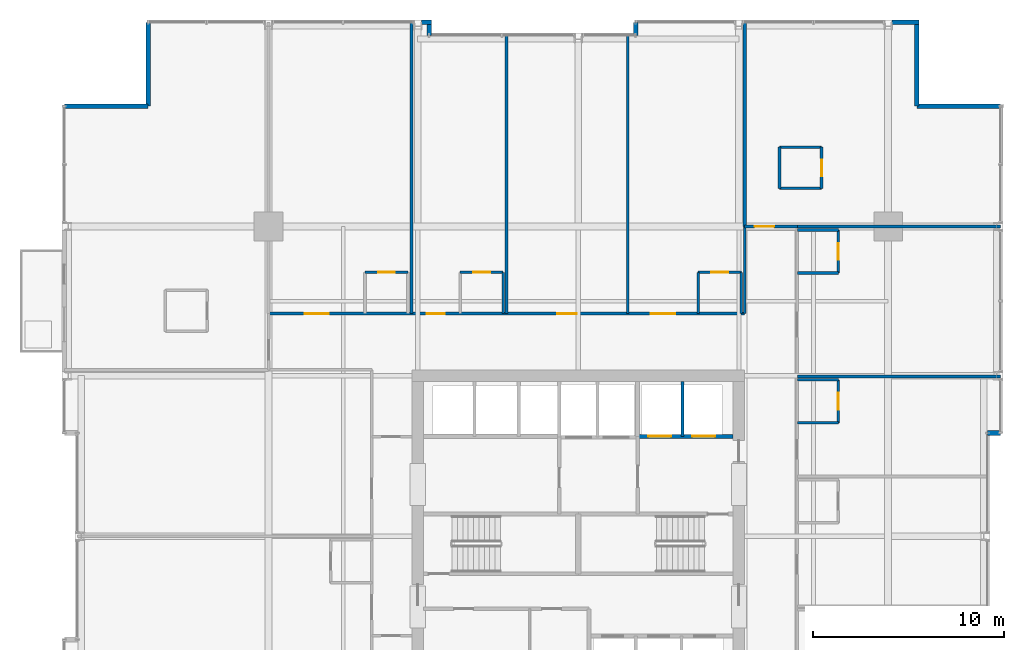
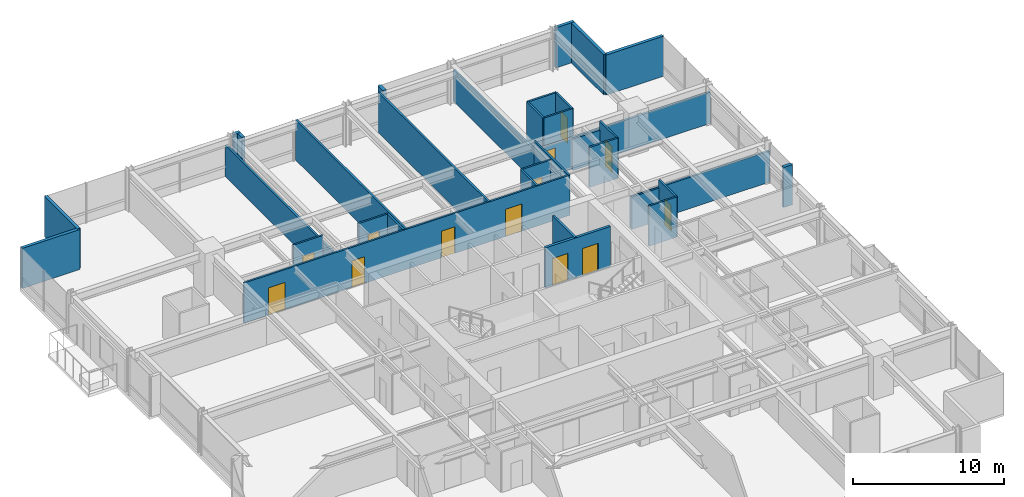
# One storey, part 31 of 34: 36 walls, 13 doors, 13 openings.
"""IFC4 building model written with IfcOpenShell, lengths in metres."""

from ifc_helpers import new_model, si_unit, direction, frame, frame_2d, origin, place, context, subcontext, project, spatial, rectangle, extrude, material, layer, layer_set, type_object, element, fill, save


model = new_model("IFC4")

# Units and contexts
model_context = context("Model", 3, precision=1e-05, world=origin(), true_north=direction((0.0, 1.0)))
body_context = subcontext(model_context, "Body", "Model", "MODEL_VIEW")
ifc_project = project(units=[si_unit("LENGTHUNIT", "METRE"), si_unit("AREAUNIT", "SQUARE_METRE"), si_unit("VOLUMEUNIT", "CUBIC_METRE"), si_unit("PLANEANGLEUNIT", "RADIAN"), si_unit("MASSUNIT", "GRAM", prefix="KILO")], contexts=[model_context])

# Site, building, storey
site_placement = place(None, origin())
site = spatial("IfcSite", under=ifc_project, at=site_placement, CompositionType="ELEMENT")
building_placement = place(site_placement, origin())
building = spatial("IfcBuilding", under=site, at=building_placement, Name="Drelvath Grand Hotel", CompositionType="ELEMENT")
storey_placement = place(building_placement, frame((0.0, 0.0, 126.800048828125)))
storey = spatial("IfcBuildingStorey", under=building, at=storey_placement, Name="L32", CompositionType="ELEMENT", Elevation=126.800048828125)

# Wall, openings, doors
ifc_material_1 = material(Name="Concrete C40/50", Category="concrete")
ifc_layer_1 = layer(ifc_material_1, 0.199951171875)
ifc_layer_set_1 = layer_set([ifc_layer_1], Name="Concrete C40/50")
wall_type_1 = type_object("IfcWallType", Name="Core Hoistway Fire Wall 200", PredefinedType="SOLIDWALL", material=ifc_layer_set_1)
wall_1_placement = place(storey_placement, frame((3.10009765625, 32.219970703125, 0.0), z_axis=(0.0, 0.0, 1.0), x_axis=(1.0, 0.0, 0.0)))
wall_1 = element("IfcWall", 1, at=wall_1_placement, inside=storey, type_object=wall_type_1, Name="L32 FSAE Hoistway Front Wall", PredefinedType="SOLIDWALL", context=body_context, shape_type="SweptSolid", body=[
    extrude(rectangle(XDim=5.0, YDim=0.199951171875, at=frame_2d((2.5, 0.0))), origin(), (0.0, 0.0, 1.0), 3.239990234375),
])
opening_1_placement = place(wall_1_placement, frame((0.550048828125, 0.0, 0.0)))
opening_1 = element("IfcOpeningElement", 2, at=opening_1_placement, cuts=wall_1, Name="Opening LD-FSAE-1", PredefinedType="OPENING", context=body_context, shape_type="SweptSolid", body=[
    extrude(rectangle(XDim=1.199951171875, YDim=2.199951171875, at=frame_2d((0.60009765625, 1.10009765625))), frame((0.0, 0.10986328125, 0.0), z_axis=(0.0, -1.0, 0.0), x_axis=(1.0, 0.0, 0.0)), (0.0, 0.0, 1.0), 0.219970703125),
])
opening_2_placement = place(wall_1_placement, frame((2.85009765625, 0.0, 0.0)))
opening_2 = element("IfcOpeningElement", 3, at=opening_2_placement, cuts=wall_1, Name="Opening LD-FSAE-2", PredefinedType="OPENING", context=body_context, shape_type="SweptSolid", body=[
    extrude(rectangle(XDim=1.199951171875, YDim=2.199951171875, at=frame_2d((0.60009765625, 1.10009765625))), frame((0.0, 0.10986328125, 0.0), z_axis=(0.0, -1.0, 0.0), x_axis=(1.0, 0.0, 0.0)), (0.0, 0.0, 1.0), 0.219970703125),
])
ifc_material_2 = material(Name="Stainless Steel S355", Category="steel")
door_type_1 = type_object("IfcDoorType", Name="FSAE Lift Sliding Landing Door 1200x2200", OperationType="NOTDEFINED", PredefinedType="DOOR", material=ifc_material_2)
door_1_placement = place(opening_1_placement, origin())
door_1 = element("IfcDoor", 4, at=door_1_placement, inside=storey, type_object=door_type_1, Name="L32 Lift FSAE-1 Landing Door", OperationType="SLIDING_TO_LEFT", OverallHeight=2.199951171875, OverallWidth=1.199951171875, PredefinedType="DOOR", context=body_context, shape_type="SweptSolid", body=[
    extrude(rectangle(XDim=1.199951171875, YDim=2.199951171875, at=frame_2d((0.60009765625, 1.10009765625))), frame((0.0, 0.02490234375, 0.0), z_axis=(0.0, -1.0, 0.0), x_axis=(1.0, 0.0, 0.0)), (0.0, 0.0, 1.0), 0.050048828125),
])
fill(opening_1, door_1)
door_2_placement = place(opening_2_placement, origin())
door_2 = element("IfcDoor", 5, at=door_2_placement, inside=storey, type_object=door_type_1, Name="L32 Lift FSAE-2 Landing Door", OperationType="SLIDING_TO_LEFT", OverallHeight=2.199951171875, OverallWidth=1.199951171875, PredefinedType="DOOR", context=body_context, shape_type="SweptSolid", body=[
    extrude(rectangle(XDim=1.199951171875, YDim=2.199951171875, at=frame_2d((0.60009765625, 1.10009765625))), frame((0.0, 0.02490234375, 0.0), z_axis=(0.0, -1.0, 0.0), x_axis=(1.0, 0.0, 0.0)), (0.0, 0.0, 1.0), 0.050048828125),
])
fill(opening_2, door_2)

# Walls
ifc_material_3 = material(Name="Gypsum Fireboard Partition")
ifc_layer_2 = layer(ifc_material_3, 0.1650390625)
ifc_layer_set_2 = layer_set([ifc_layer_2], Name="Gypsum Fireboard Partition")
wall_type_2 = type_object("IfcWallType", Name="Core Shaft Partition 165", PredefinedType="PARTITIONING", material=ifc_layer_set_2)
wall_2_placement = place(storey_placement, frame((5.449951171875, 32.219970703125, 0.0), z_axis=(0.0, 0.0, 1.0), x_axis=(0.0, 1.0, 0.0)))
element("IfcWall", 6, at=wall_2_placement, inside=storey, type_object=wall_type_2, Name="L32 FSAE Hoistway Divider", PredefinedType="PARTITIONING", context=body_context, shape_type="SweptSolid", body=[
    extrude(rectangle(XDim=2.880126953125, YDim=0.1650390625, at=frame_2d((1.43994140625, 0.0))), origin(), (0.0, 0.0, 1.0), 3.239990234375),
])
ifc_layer_3 = layer(ifc_material_3, 0.135009765625)
ifc_layer_set_3 = layer_set([ifc_layer_3], Name="Gypsum Fireboard Partition")
wall_type_3 = type_object("IfcWallType", Name="Corridor Fire Barrier Wall 135", PredefinedType="PARTITIONING", material=ifc_layer_set_3)
wall_3_placement = place(storey_placement, frame((8.699951171875, 38.64990234375, 0.0), z_axis=(0.0, 0.0, 1.0), x_axis=(0.0, 1.0, 0.0)))
element("IfcWall", 7, at=wall_3_placement, inside=storey, type_object=wall_type_3, Name="L32 East Spine North Inner Wall", PredefinedType="PARTITIONING", context=body_context, shape_type="SweptSolid", body=[
    extrude(rectangle(XDim=4.550048828125, YDim=0.135009765625, at=frame_2d((2.27490234375, 0.0))), origin(), (0.0, 0.0, 1.0), 3.239990234375),
])

# Wall, openings, doors
wall_4_placement = place(storey_placement, frame((-16.199951171875, 38.64990234375, 0.0), z_axis=(0.0, 0.0, 1.0), x_axis=(1.0, 0.0, 0.0)))
wall_4 = element("IfcWall", 8, at=wall_4_placement, inside=storey, type_object=wall_type_3, Name="L32 North Stub Corridor Wall", PredefinedType="PARTITIONING", context=body_context, shape_type="SweptSolid", body=[
    extrude(rectangle(XDim=24.89990234375, YDim=0.135009765625, at=frame_2d((12.449951171875, 0.0))), origin(), (0.0, 0.0, 1.0), 3.239990234375),
])
opening_3_placement = place(wall_4_placement, frame((1.889892578125, 0.0, 0.0)))
opening_3 = element("IfcOpeningElement", 9, at=opening_3_placement, cuts=wall_4, Name="Opening D-T2G4-034", PredefinedType="OPENING", context=body_context, shape_type="SweptSolid", body=[
    extrude(rectangle(XDim=1.260009765625, YDim=2.199951171875, at=frame_2d((0.6298828125, 1.10009765625))), frame((0.0, 0.077392578125, 0.0), z_axis=(0.0, -1.0, 0.0), x_axis=(1.0, 0.0, 0.0)), (0.0, 0.0, 1.0), 0.155029296875),
])
opening_4_placement = place(wall_4_placement, frame((8.264892578125, 0.0, 0.0)))
opening_4 = element("IfcOpeningElement", 10, at=opening_4_placement, cuts=wall_4, Name="Opening D-T2G4-036", PredefinedType="OPENING", context=body_context, shape_type="SweptSolid", body=[
    extrude(rectangle(XDim=0.9599609375, YDim=2.14990234375, at=frame_2d((0.47998046875, 1.074951171875))), frame((0.0, 0.077392578125, 0.0), z_axis=(0.0, -1.0, 0.0), x_axis=(1.0, 0.0, 0.0)), (0.0, 0.0, 1.0), 0.155029296875),
])
opening_5_placement = place(wall_4_placement, frame((15.10498046875, 0.0, 0.0)))
opening_5 = element("IfcOpeningElement", 11, at=opening_5_placement, cuts=wall_4, Name="Opening D-T2G4-037", PredefinedType="OPENING", context=body_context, shape_type="SweptSolid", body=[
    extrude(rectangle(XDim=1.02001953125, YDim=2.14990234375, at=frame_2d((0.510009765625, 1.074951171875))), frame((0.0, 0.077392578125, 0.0), z_axis=(0.0, -1.0, 0.0), x_axis=(1.0, 0.0, 0.0)), (0.0, 0.0, 1.0), 0.155029296875),
])
opening_6_placement = place(wall_4_placement, frame((19.9951171875, 0.0, 0.0)))
opening_6 = element("IfcOpeningElement", 12, at=opening_6_placement, cuts=wall_4, Name="Opening D-T2G4-039", PredefinedType="OPENING", context=body_context, shape_type="SweptSolid", body=[
    extrude(rectangle(XDim=1.260009765625, YDim=2.199951171875, at=frame_2d((0.6298828125, 1.10009765625))), frame((0.0, 0.077392578125, 0.0), z_axis=(0.0, -1.0, 0.0), x_axis=(1.0, 0.0, 0.0)), (0.0, 0.0, 1.0), 0.155029296875),
])
ifc_material_4 = material(Name="Hardwood Walnut Timber", Category="wood")
door_type_2 = type_object("IfcDoorType", Name="Amenity Meeting Fire Door 1020x2150", OperationType="NOTDEFINED", PredefinedType="DOOR", material=ifc_material_4)
door_3_placement = place(opening_5_placement, origin())
door_3 = element("IfcDoor", 13, at=door_3_placement, inside=storey, type_object=door_type_2, Name="L32 Private Dining Salon Entry Door", OperationType="SINGLE_SWING_RIGHT", OverallHeight=2.14990234375, OverallWidth=1.02001953125, PredefinedType="DOOR", context=body_context, shape_type="SweptSolid", body=[
    extrude(rectangle(XDim=1.02001953125, YDim=2.14990234375, at=frame_2d((0.510009765625, 1.074951171875))), frame((0.0, 0.02490234375, 0.0), z_axis=(0.0, -1.0, 0.0), x_axis=(1.0, 0.0, 0.0)), (0.0, 0.0, 1.0), 0.050048828125),
])
fill(opening_5, door_3)
door_type_3 = type_object("IfcDoorType", Name="Guestroom Entrance Fire Door 960x2150", OperationType="NOTDEFINED", PredefinedType="DOOR", material=ifc_material_4)
door_4_placement = place(opening_4_placement, origin())
door_4 = element("IfcDoor", 14, at=door_4_placement, inside=storey, type_object=door_type_3, Name="L32 King Guest Room Entry Door", OperationType="SINGLE_SWING_LEFT", OverallHeight=2.14990234375, OverallWidth=0.9599609375, PredefinedType="DOOR", context=body_context, shape_type="SweptSolid", body=[
    extrude(rectangle(XDim=0.9599609375, YDim=2.14990234375, at=frame_2d((0.47998046875, 1.074951171875))), frame((0.0, 0.02490234375, 0.0), z_axis=(0.0, -1.0, 0.0), x_axis=(1.0, 0.0, 0.0)), (0.0, 0.0, 1.0), 0.050048828125),
])
fill(opening_4, door_4)
door_type_4 = type_object("IfcDoorType", Name="Suite Entrance Fire Door 1260x2200", OperationType="NOTDEFINED", PredefinedType="DOOR", material=ifc_material_4)
door_5_placement = place(opening_3_placement, origin())
door_5 = element("IfcDoor", 15, at=door_5_placement, inside=storey, type_object=door_type_4, Name="L32 Corner Suite Entry Door", OperationType="SINGLE_SWING_LEFT", OverallHeight=2.199951171875, OverallWidth=1.260009765625, PredefinedType="DOOR", context=body_context, shape_type="SweptSolid", body=[
    extrude(rectangle(XDim=1.260009765625, YDim=2.199951171875, at=frame_2d((0.6298828125, 1.10009765625))), frame((0.0, 0.02490234375, 0.0), z_axis=(0.0, -1.0, 0.0), x_axis=(1.0, 0.0, 0.0)), (0.0, 0.0, 1.0), 0.050048828125),
])
fill(opening_3, door_5)
door_6_placement = place(opening_6_placement, origin())
door_6 = element("IfcDoor", 16, at=door_6_placement, inside=storey, type_object=door_type_4, Name="L32 Corner Suite Entry Door", OperationType="SINGLE_SWING_RIGHT", OverallHeight=2.199951171875, OverallWidth=1.260009765625, PredefinedType="DOOR", context=body_context, shape_type="SweptSolid", body=[
    extrude(rectangle(XDim=1.260009765625, YDim=2.199951171875, at=frame_2d((0.6298828125, 1.10009765625))), frame((0.0, 0.02490234375, 0.0), z_axis=(0.0, -1.0, 0.0), x_axis=(1.0, 0.0, 0.0)), (0.0, 0.0, 1.0), 0.050048828125),
])
fill(opening_6, door_6)

# Wall, opening, door
wall_5_placement = place(storey_placement, frame((8.699951171875, 43.199951171875, 0.0), z_axis=(0.0, 0.0, 1.0), x_axis=(1.0, 0.0, 0.0)))
wall_5 = element("IfcWall", 17, at=wall_5_placement, inside=storey, type_object=wall_type_3, Name="L32 East Spine North End", PredefinedType="PARTITIONING", context=body_context, shape_type="SweptSolid", body=[
    extrude(rectangle(XDim=2.75, YDim=0.135009765625, at=frame_2d((1.375, 0.0))), origin(), (0.0, 0.0, 1.0), 2.529541015625),
])
opening_7_placement = place(wall_5_placement, frame((0.52001953125, 0.0, 0.0)))
opening_7 = element("IfcOpeningElement", 18, at=opening_7_placement, cuts=wall_5, Name="Opening D-T2G4-026", PredefinedType="OPENING", context=body_context, shape_type="SweptSolid", body=[
    extrude(rectangle(XDim=1.02001953125, YDim=2.14990234375, at=frame_2d((0.510009765625, 1.074951171875))), frame((0.0, 0.077392578125, 0.0), z_axis=(0.0, -1.0, 0.0), x_axis=(1.0, 0.0, 0.0)), (0.0, 0.0, 1.0), 0.155029296875),
])
door_7_placement = place(opening_7_placement, origin())
door_7 = element("IfcDoor", 19, at=door_7_placement, inside=storey, type_object=door_type_2, Name="L32 Corner Suite Entry Door", OperationType="SINGLE_SWING_LEFT", OverallHeight=2.14990234375, OverallWidth=1.02001953125, PredefinedType="DOOR", context=body_context, shape_type="SweptSolid", body=[
    extrude(rectangle(XDim=1.02001953125, YDim=2.14990234375, at=frame_2d((0.510009765625, 1.074951171875))), frame((0.0, 0.02490234375, 0.0), z_axis=(0.0, -1.0, 0.0), x_axis=(1.0, 0.0, 0.0)), (0.0, 0.0, 1.0), 0.050048828125),
])
fill(opening_7, door_7)

# Walls
ifc_material_5 = material(Name="Moisture-Resistant Gypsum Board")
ifc_layer_4 = layer(ifc_material_5, 0.139892578125)
ifc_layer_set_4 = layer_set([ifc_layer_4], Name="Moisture-Resistant Gypsum Board")
wall_type_4 = type_object("IfcWallType", Name="En-Suite Plumbing Wall 140", PredefinedType="PLUMBINGWALL", material=ifc_layer_set_4)
for number, where, z_axis, x_axis, name in (
    (20, (10.52001953125, 45.199951171875, 0.0), (0.0, 0.0, 1.0), (1.0, 0.0, 0.0), "L32 Corner En-Suite South"),
    (21, (10.52001953125, 47.35009765625, 0.0), (0.0, 0.0, 1.0), (1.0, 0.0, 0.0), "L32 Corner En-Suite North"),
):
    element("IfcWall", number, at=place(storey_placement, frame(where, z_axis=z_axis, x_axis=x_axis)), inside=storey, type_object=wall_type_4, Name=name, PredefinedType="PLUMBINGWALL", context=body_context, shape_type="SweptSolid", body=[
        extrude(rectangle(XDim=2.199951171875, YDim=0.139892578125, at=frame_2d((1.10009765625, 0.0))), origin(), (0.0, 0.0, 1.0), 3.239990234375),
    ])
wall_6_placement = place(storey_placement, frame((10.52001953125, 45.199951171875, 0.0), z_axis=(0.0, 0.0, 1.0), x_axis=(0.0, 1.0, 0.0)))
element("IfcWall", 22, at=wall_6_placement, inside=storey, type_object=wall_type_4, Name="L32 Corner En-Suite West", PredefinedType="PLUMBINGWALL", context=body_context, shape_type="SweptSolid", body=[
    extrude(rectangle(XDim=2.150146484375, YDim=0.139892578125, at=frame_2d((1.0751953125, 0.0))), origin(), (0.0, 0.0, 1.0), 3.239990234375),
])

# Wall, opening, door
wall_7_placement = place(storey_placement, frame((12.719970703125, 45.199951171875, 0.0), z_axis=(0.0, 0.0, 1.0), x_axis=(0.0, 1.0, 0.0)))
wall_7 = element("IfcWall", 23, at=wall_7_placement, inside=storey, type_object=wall_type_4, Name="L32 Corner En-Suite East", PredefinedType="PLUMBINGWALL", context=body_context, shape_type="SweptSolid", body=[
    extrude(rectangle(XDim=2.150146484375, YDim=0.139892578125, at=frame_2d((1.0751953125, 0.0))), origin(), (0.0, 0.0, 1.0), 3.239990234375),
])
opening_8_placement = place(wall_7_placement, frame((0.6201171875, 0.0, 0.0)))
opening_8 = element("IfcOpeningElement", 24, at=opening_8_placement, cuts=wall_7, Name="Opening D-T2G4-025", PredefinedType="OPENING", context=body_context, shape_type="SweptSolid", body=[
    extrude(rectangle(XDim=0.8798828125, YDim=2.10009765625, at=frame_2d((0.43994140625, 1.050048828125))), frame((0.0, 0.079833984375, 0.0), z_axis=(0.0, -1.0, 0.0), x_axis=(1.0, 0.0, 0.0)), (0.0, 0.0, 1.0), 0.159912109375),
])
door_type_5 = type_object("IfcDoorType", Name="En-Suite Bathroom Door 880x2100", OperationType="NOTDEFINED", PredefinedType="DOOR", material=ifc_material_4)
door_8_placement = place(opening_8_placement, origin())
door_8 = element("IfcDoor", 25, at=door_8_placement, inside=storey, type_object=door_type_5, Name="L32 Corner En-Suite Door", OperationType="SINGLE_SWING_RIGHT", OverallHeight=2.10009765625, OverallWidth=0.8798828125, PredefinedType="DOOR", context=body_context, shape_type="SweptSolid", body=[
    extrude(rectangle(XDim=0.8798828125, YDim=2.10009765625, at=frame_2d((0.43994140625, 1.050048828125))), frame((0.0, 0.02490234375, 0.0), z_axis=(0.0, -1.0, 0.0), x_axis=(1.0, 0.0, 0.0)), (0.0, 0.0, 1.0), 0.050048828125),
])
fill(opening_8, door_8)

wall_8_placement = place(storey_placement, frame((-11.159912109375, 40.800048828125, 0.0), z_axis=(0.0, 0.0, 1.0), x_axis=(1.0, 0.0, 0.0)))
wall_8 = element("IfcWall", 26, at=wall_8_placement, inside=storey, type_object=wall_type_4, Name="L32 En-Suite Front Wall", PredefinedType="PLUMBINGWALL", context=body_context, shape_type="SweptSolid", body=[
    extrude(rectangle(XDim=2.25, YDim=0.139892578125, at=frame_2d((1.125, 0.0))), origin(), (0.0, 0.0, 1.0), 3.239990234375),
])
opening_9_placement = place(wall_8_placement, frame((0.68505859375, 0.0, 0.0)))
opening_9 = element("IfcOpeningElement", 27, at=opening_9_placement, cuts=wall_8, Name="Opening D-T2G4-033", PredefinedType="OPENING", context=body_context, shape_type="SweptSolid", body=[
    extrude(rectangle(XDim=0.8798828125, YDim=2.10009765625, at=frame_2d((0.43994140625, 1.050048828125))), frame((0.0, 0.079833984375, 0.0), z_axis=(0.0, -1.0, 0.0), x_axis=(1.0, 0.0, 0.0)), (0.0, 0.0, 1.0), 0.159912109375),
])
door_9_placement = place(opening_9_placement, origin())
door_9 = element("IfcDoor", 28, at=door_9_placement, inside=storey, type_object=door_type_5, Name="L32 En-Suite Bathroom Door", OperationType="SINGLE_SWING_RIGHT", OverallHeight=2.10009765625, OverallWidth=0.8798828125, PredefinedType="DOOR", context=body_context, shape_type="SweptSolid", body=[
    extrude(rectangle(XDim=0.8798828125, YDim=2.10009765625, at=frame_2d((0.43994140625, 1.050048828125))), frame((0.0, 0.02490234375, 0.0), z_axis=(0.0, -1.0, 0.0), x_axis=(1.0, 0.0, 0.0)), (0.0, 0.0, 1.0), 0.050048828125),
])
fill(opening_9, door_9)

# Wall
wall_9_placement = place(storey_placement, frame((-3.929931640625, 38.64990234375, 0.0), z_axis=(0.0, 0.0, 1.0), x_axis=(0.0, 1.0, 0.0)))
element("IfcWall", 29, at=wall_9_placement, inside=storey, type_object=wall_type_4, Name="L32 En-Suite Right Wall", PredefinedType="PLUMBINGWALL", context=body_context, shape_type="SweptSolid", body=[
    extrude(rectangle(XDim=2.150146484375, YDim=0.139892578125, at=frame_2d((1.0751953125, 0.0))), origin(), (0.0, 0.0, 1.0), 3.239990234375),
])

# Wall, opening, door
wall_10_placement = place(storey_placement, frame((-6.179931640625, 40.800048828125, 0.0), z_axis=(0.0, 0.0, 1.0), x_axis=(1.0, 0.0, 0.0)))
wall_10 = element("IfcWall", 30, at=wall_10_placement, inside=storey, type_object=wall_type_4, Name="L32 En-Suite Front Wall", PredefinedType="PLUMBINGWALL", context=body_context, shape_type="SweptSolid", body=[
    extrude(rectangle(XDim=2.25, YDim=0.139892578125, at=frame_2d((1.125, 0.0))), origin(), (0.0, 0.0, 1.0), 3.239990234375),
])
opening_10_placement = place(wall_10_placement, frame((0.68505859375, 0.0, 0.0)))
opening_10 = element("IfcOpeningElement", 31, at=opening_10_placement, cuts=wall_10, Name="Opening D-T2G4-035", PredefinedType="OPENING", context=body_context, shape_type="SweptSolid", body=[
    extrude(rectangle(XDim=0.8798828125, YDim=2.10009765625, at=frame_2d((0.43994140625, 1.050048828125))), frame((0.0, 0.079833984375, 0.0), z_axis=(0.0, -1.0, 0.0), x_axis=(1.0, 0.0, 0.0)), (0.0, 0.0, 1.0), 0.159912109375),
])
door_10_placement = place(opening_10_placement, origin())
door_10 = element("IfcDoor", 32, at=door_10_placement, inside=storey, type_object=door_type_5, Name="L32 En-Suite Bathroom Door", OperationType="SINGLE_SWING_RIGHT", OverallHeight=2.10009765625, OverallWidth=0.8798828125, PredefinedType="DOOR", context=body_context, shape_type="SweptSolid", body=[
    extrude(rectangle(XDim=0.8798828125, YDim=2.10009765625, at=frame_2d((0.43994140625, 1.050048828125))), frame((0.0, 0.02490234375, 0.0), z_axis=(0.0, -1.0, 0.0), x_axis=(1.0, 0.0, 0.0)), (0.0, 0.0, 1.0), 0.050048828125),
])
fill(opening_10, door_10)

# Walls
wall_11_placement = place(storey_placement, frame((6.27001953125, 38.64990234375, 0.0), z_axis=(0.0, 0.0, 1.0), x_axis=(0.0, 1.0, 0.0)))
element("IfcWall", 33, at=wall_11_placement, inside=storey, type_object=wall_type_4, Name="L32 En-Suite Left Wall", PredefinedType="PLUMBINGWALL", context=body_context, shape_type="SweptSolid", body=[
    extrude(rectangle(XDim=2.150146484375, YDim=0.139892578125, at=frame_2d((1.0751953125, 0.0))), origin(), (0.0, 0.0, 1.0), 3.239990234375),
])
wall_12_placement = place(storey_placement, frame((8.52001953125, 38.64990234375, 0.0), z_axis=(0.0, 0.0, 1.0), x_axis=(0.0, 1.0, 0.0)))
element("IfcWall", 34, at=wall_12_placement, inside=storey, type_object=wall_type_4, Name="L32 En-Suite Right Wall", PredefinedType="PLUMBINGWALL", context=body_context, shape_type="SweptSolid", body=[
    extrude(rectangle(XDim=2.150146484375, YDim=0.139892578125, at=frame_2d((1.0751953125, 0.0))), origin(), (0.0, 0.0, 1.0), 2.617431640625),
])

# Wall, opening, door
wall_13_placement = place(storey_placement, frame((6.27001953125, 40.800048828125, 0.0), z_axis=(0.0, 0.0, 1.0), x_axis=(1.0, 0.0, 0.0)))
wall_13 = element("IfcWall", 35, at=wall_13_placement, inside=storey, type_object=wall_type_4, Name="L32 En-Suite Front Wall", PredefinedType="PLUMBINGWALL", context=body_context, shape_type="SweptSolid", body=[
    extrude(rectangle(XDim=2.25, YDim=0.139892578125, at=frame_2d((1.125, 0.0))), origin(), (0.0, 0.0, 1.0), 3.239990234375),
])
opening_11_placement = place(wall_13_placement, frame((0.68505859375, 0.0, 0.0)))
opening_11 = element("IfcOpeningElement", 36, at=opening_11_placement, cuts=wall_13, Name="Opening D-T2G4-038", PredefinedType="OPENING", context=body_context, shape_type="SweptSolid", body=[
    extrude(rectangle(XDim=0.8798828125, YDim=2.10009765625, at=frame_2d((0.43994140625, 1.050048828125))), frame((0.0, 0.079833984375, 0.0), z_axis=(0.0, -1.0, 0.0), x_axis=(1.0, 0.0, 0.0)), (0.0, 0.0, 1.0), 0.159912109375),
])
door_11_placement = place(opening_11_placement, origin())
door_11 = element("IfcDoor", 37, at=door_11_placement, inside=storey, type_object=door_type_5, Name="L32 En-Suite Bathroom Door", OperationType="SINGLE_SWING_LEFT", OverallHeight=2.10009765625, OverallWidth=0.8798828125, PredefinedType="DOOR", context=body_context, shape_type="SweptSolid", body=[
    extrude(rectangle(XDim=0.8798828125, YDim=2.10009765625, at=frame_2d((0.43994140625, 1.050048828125))), frame((0.0, 0.02490234375, 0.0), z_axis=(0.0, -1.0, 0.0), x_axis=(1.0, 0.0, 0.0)), (0.0, 0.0, 1.0), 0.050048828125),
])
fill(opening_11, door_11)

# Walls
wall_14_placement = place(storey_placement, frame((11.449951171875, 32.931396484375, 0.0), z_axis=(0.0, 0.0, 1.0), x_axis=(1.0, 0.0, 0.0)))
element("IfcWall", 38, at=wall_14_placement, inside=storey, type_object=wall_type_4, Name="L32 En-Suite Left Wall", PredefinedType="PLUMBINGWALL", context=body_context, shape_type="SweptSolid", body=[
    extrude(rectangle(XDim=2.150146484375, YDim=0.139892578125, at=frame_2d((1.0751953125, 0.0))), origin(), (0.0, 0.0, 1.0), 3.239990234375),
])
wall_15_placement = place(storey_placement, frame((11.449951171875, 35.181396484375, 0.0), z_axis=(0.0, 0.0, 1.0), x_axis=(1.0, 0.0, 0.0)))
element("IfcWall", 39, at=wall_15_placement, inside=storey, type_object=wall_type_4, Name="L32 En-Suite Right Wall", PredefinedType="PLUMBINGWALL", context=body_context, shape_type="SweptSolid", body=[
    extrude(rectangle(XDim=2.150146484375, YDim=0.139892578125, at=frame_2d((1.0751953125, 0.0))), origin(), (0.0, 0.0, 1.0), 2.617431640625),
])

# Wall, opening, door
wall_16_placement = place(storey_placement, frame((13.60009765625, 32.931396484375, 0.0), z_axis=(0.0, 0.0, 1.0), x_axis=(0.0, 1.0, 0.0)))
wall_16 = element("IfcWall", 40, at=wall_16_placement, inside=storey, type_object=wall_type_4, Name="L32 En-Suite Front Wall", PredefinedType="PLUMBINGWALL", context=body_context, shape_type="SweptSolid", body=[
    extrude(rectangle(XDim=2.25, YDim=0.139892578125, at=frame_2d((1.125, 0.0))), origin(), (0.0, 0.0, 1.0), 3.239990234375),
])
opening_12_placement = place(wall_16_placement, frame((0.68505859375, 0.0, 0.0)))
opening_12 = element("IfcOpeningElement", 41, at=opening_12_placement, cuts=wall_16, Name="Opening D-T2G4-046", PredefinedType="OPENING", context=body_context, shape_type="SweptSolid", body=[
    extrude(rectangle(XDim=0.8798828125, YDim=2.10009765625, at=frame_2d((0.43994140625, 1.050048828125))), frame((0.0, 0.079833984375, 0.0), z_axis=(0.0, -1.0, 0.0), x_axis=(1.0, 0.0, 0.0)), (0.0, 0.0, 1.0), 0.159912109375),
])
door_12_placement = place(opening_12_placement, origin())
door_12 = element("IfcDoor", 42, at=door_12_placement, inside=storey, type_object=door_type_5, Name="L32 En-Suite Bathroom Door", OperationType="SINGLE_SWING_LEFT", OverallHeight=2.10009765625, OverallWidth=0.8798828125, PredefinedType="DOOR", context=body_context, shape_type="SweptSolid", body=[
    extrude(rectangle(XDim=0.8798828125, YDim=2.10009765625, at=frame_2d((0.43994140625, 1.050048828125))), frame((0.0, 0.02490234375, 0.0), z_axis=(0.0, -1.0, 0.0), x_axis=(1.0, 0.0, 0.0)), (0.0, 0.0, 1.0), 0.050048828125),
])
fill(opening_12, door_12)

# Walls
wall_17_placement = place(storey_placement, frame((11.449951171875, 40.77001953125, 0.0), z_axis=(0.0, 0.0, 1.0), x_axis=(1.0, 0.0, 0.0)))
element("IfcWall", 43, at=wall_17_placement, inside=storey, type_object=wall_type_4, Name="L32 En-Suite Left Wall", PredefinedType="PLUMBINGWALL", context=body_context, shape_type="SweptSolid", body=[
    extrude(rectangle(XDim=2.150146484375, YDim=0.139892578125, at=frame_2d((1.0751953125, 0.0))), origin(), (0.0, 0.0, 1.0), 3.239990234375),
])
wall_18_placement = place(storey_placement, frame((11.449951171875, 43.02001953125, 0.0), z_axis=(0.0, 0.0, 1.0), x_axis=(1.0, 0.0, 0.0)))
element("IfcWall", 44, at=wall_18_placement, inside=storey, type_object=wall_type_4, Name="L32 En-Suite Right Wall", PredefinedType="PLUMBINGWALL", context=body_context, shape_type="SweptSolid", body=[
    extrude(rectangle(XDim=2.150146484375, YDim=0.139892578125, at=frame_2d((1.0751953125, 0.0))), origin(), (0.0, 0.0, 1.0), 2.529541015625),
])

# Wall, opening, door
wall_19_placement = place(storey_placement, frame((13.60009765625, 40.77001953125, 0.0), z_axis=(0.0, 0.0, 1.0), x_axis=(0.0, 1.0, 0.0)))
wall_19 = element("IfcWall", 45, at=wall_19_placement, inside=storey, type_object=wall_type_4, Name="L32 En-Suite Front Wall", PredefinedType="PLUMBINGWALL", context=body_context, shape_type="SweptSolid", body=[
    extrude(rectangle(XDim=2.25, YDim=0.139892578125, at=frame_2d((1.125, 0.0))), origin(), (0.0, 0.0, 1.0), 3.239990234375),
])
opening_13_placement = place(wall_19_placement, frame((0.68505859375, 0.0, 0.0)))
opening_13 = element("IfcOpeningElement", 46, at=opening_13_placement, cuts=wall_19, Name="Opening D-T2G4-048", PredefinedType="OPENING", context=body_context, shape_type="SweptSolid", body=[
    extrude(rectangle(XDim=0.8798828125, YDim=2.10009765625, at=frame_2d((0.43994140625, 1.050048828125))), frame((0.0, 0.079833984375, 0.0), z_axis=(0.0, -1.0, 0.0), x_axis=(1.0, 0.0, 0.0)), (0.0, 0.0, 1.0), 0.159912109375),
])
door_13_placement = place(opening_13_placement, origin())
door_13 = element("IfcDoor", 47, at=door_13_placement, inside=storey, type_object=door_type_5, Name="L32 En-Suite Bathroom Door", OperationType="SINGLE_SWING_LEFT", OverallHeight=2.10009765625, OverallWidth=0.8798828125, PredefinedType="DOOR", context=body_context, shape_type="SweptSolid", body=[
    extrude(rectangle(XDim=0.8798828125, YDim=2.10009765625, at=frame_2d((0.43994140625, 1.050048828125))), frame((0.0, 0.02490234375, 0.0), z_axis=(0.0, -1.0, 0.0), x_axis=(1.0, 0.0, 0.0)), (0.0, 0.0, 1.0), 0.050048828125),
])
fill(opening_13, door_13)

# Walls
ifc_material_6 = material(Name="Gypsum Acoustic Partition")
ifc_layer_5 = layer(ifc_material_6, 0.14990234375)
ifc_layer_set_5 = layer_set([ifc_layer_5], Name="Gypsum Acoustic Partition")
wall_type_5 = type_object("IfcWallType", Name="Guestroom Demising Wall 150", PredefinedType="PARTITIONING", material=ifc_layer_set_5)
wall_20_placement = place(storey_placement, frame((-8.72998046875, 38.64990234375, 0.0), z_axis=(0.0, 0.0, 1.0), x_axis=(0.0, 1.0, 0.0)))
element("IfcWall", 48, at=wall_20_placement, inside=storey, type_object=wall_type_5, Name="L32 North Demising 1", PredefinedType="PARTITIONING", context=body_context, shape_type="SweptSolid", body=[
    extrude(rectangle(XDim=15.22998046875, YDim=0.14990234375, at=frame_2d((7.614990234375, 0.0))), origin(), (0.0, 0.0, 1.0), 2.529541015625),
])
for number, where, z_axis, x_axis, name in (
    (49, (-3.75, 38.64990234375, 0.0), (0.0, 0.0, 1.0), (0.0, 1.0, 0.0), "L32 North Demising 2"),
    (50, (2.580078125, 38.64990234375, 0.0), (0.0, 0.0, 1.0), (0.0, 1.0, 0.0), "L32 North Demising 3"),
):
    element("IfcWall", number, at=place(storey_placement, frame(where, z_axis=z_axis, x_axis=x_axis)), inside=storey, type_object=wall_type_5, Name=name, PredefinedType="PARTITIONING", context=body_context, shape_type="SweptSolid", body=[
        extrude(rectangle(XDim=14.550048828125, YDim=0.14990234375, at=frame_2d((7.27490234375, 0.0))), origin(), (0.0, 0.0, 1.0), 3.239990234375),
    ])
wall_21_placement = place(storey_placement, frame((11.449951171875, 35.361328125, 0.0), z_axis=(0.0, 0.0, 1.0), x_axis=(1.0, 0.0, 0.0)))
element("IfcWall", 51, at=wall_21_placement, inside=storey, type_object=wall_type_5, Name="L32 East Demising 4", PredefinedType="PARTITIONING", context=body_context, shape_type="SweptSolid", body=[
    extrude(rectangle(XDim=10.630126953125, YDim=0.14990234375, at=frame_2d((5.31494140625, 0.0))), origin(), (0.0, 0.0, 1.0), 2.529541015625),
])
ifc_layer_6 = layer(ifc_material_6, 0.1650390625)
ifc_layer_set_6 = layer_set([ifc_layer_6], Name="Gypsum Acoustic Partition")
wall_type_6 = type_object("IfcWallType", Name="Suite Demising Wall 165", PredefinedType="PARTITIONING", material=ifc_layer_set_6)
wall_22_placement = place(storey_placement, frame((8.699951171875, 43.199951171875, 0.0), z_axis=(0.0, 0.0, 1.0), x_axis=(0.0, 1.0, 0.0)))
element("IfcWall", 52, at=wall_22_placement, inside=storey, type_object=wall_type_6, Name="L32 NE Suite West Wall", PredefinedType="PARTITIONING", context=body_context, shape_type="SweptSolid", body=[
    extrude(rectangle(XDim=10.679931640625, YDim=0.1650390625, at=frame_2d((5.33984375, 0.0))), origin(), (0.0, 0.0, 1.0), 2.529541015625),
])
wall_23_placement = place(storey_placement, frame((11.449951171875, 43.199951171875, 0.0), z_axis=(0.0, 0.0, 1.0), x_axis=(1.0, 0.0, 0.0)))
element("IfcWall", 53, at=wall_23_placement, inside=storey, type_object=wall_type_6, Name="L32 NE Suite South Wall", PredefinedType="PARTITIONING", context=body_context, shape_type="SweptSolid", body=[
    extrude(rectangle(XDim=10.630126953125, YDim=0.1650390625, at=frame_2d((5.31494140625, 0.0))), origin(), (0.0, 0.0, 1.0), 2.529541015625),
])
ifc_material_7 = material(Name="Pale-Metal Insulated Aluminium Spandrel Assembly", Category="aluminium")
ifc_layer_7 = layer(ifc_material_7, 0.239990234375)
ifc_layer_set_7 = layer_set([ifc_layer_7], Name="Pale-Metal Insulated Aluminium Spandrel Assembly")
wall_type_7 = type_object("IfcWallType", Name="Tower Insulated Metal Spandrel Closure Wall 240", PredefinedType="STANDARD", material=ifc_layer_set_7)
wall_24_placement = place(storey_placement, frame((-8.190673828125, 53.8798828125, 0.0), z_axis=(0.0, 0.0, 1.0), x_axis=(1.0, 0.0, 0.0)))
element("IfcWall", 54, at=wall_24_placement, inside=storey, type_object=wall_type_7, Name="L32 Corner Pier Spandrel Wall NW3", PredefinedType="STANDARD", context=body_context, shape_type="SweptSolid", body=[
    extrude(rectangle(XDim=0.5107421875, YDim=0.239990234375, at=frame_2d((0.25537109375, 0.0))), origin(), (0.0, 0.0, 1.0), 3.239990234375),
])
wall_25_placement = place(storey_placement, frame((16.409423828125, 53.8798828125, 0.0), z_axis=(0.0, 0.0, 1.0), x_axis=(1.0, 0.0, 0.0)))
element("IfcWall", 55, at=wall_25_placement, inside=storey, type_object=wall_type_7, Name="L32 Corner Pier Spandrel Wall NE3", PredefinedType="STANDARD", context=body_context, shape_type="SweptSolid", body=[
    extrude(rectangle(XDim=1.41064453125, YDim=0.239990234375, at=frame_2d((0.705322265625, 0.0))), origin(), (0.0, 0.0, 1.0), 3.239990234375),
])
for number, where, z_axis, x_axis, name in (
    (56, (-26.8798828125, 49.5, 0.0), (0.0, 0.0, 1.0), (1.0, 0.0, 0.0), "L32 Notched Corner Return Spandrel Wall CNW1"),
    (57, (-22.5, 49.5, 0.0), (0.0, 0.0, 1.0), (0.0, 1.0, 0.0), "L32 Notched Corner Return Spandrel Wall CNW2"),
):
    element("IfcWall", number, at=place(storey_placement, frame(where, z_axis=z_axis, x_axis=x_axis)), inside=storey, type_object=wall_type_7, Name=name, PredefinedType="STANDARD", context=body_context, shape_type="SweptSolid", body=[
        extrude(rectangle(XDim=4.3798828125, YDim=0.239990234375, at=frame_2d((2.18994140625, 0.0))), origin(), (0.0, 0.0, 1.0), 3.239990234375),
    ])
wall_26_placement = place(storey_placement, frame((17.699951171875, 53.760009765625, 0.0), z_axis=(0.0, 0.0, 1.0), x_axis=(0.0, -1.0, 0.0)))
element("IfcWall", 58, at=wall_26_placement, inside=storey, type_object=wall_type_7, Name="L32 Notched Corner Return Spandrel Wall CNE1", PredefinedType="STANDARD", context=body_context, shape_type="SweptSolid", body=[
    extrude(rectangle(XDim=4.260009765625, YDim=0.239990234375, at=frame_2d((2.1298828125, 0.0))), origin(), (0.0, 0.0, 1.0), 3.239990234375),
])
wall_27_placement = place(storey_placement, frame((17.699951171875, 49.5, 0.0), z_axis=(0.0, 0.0, 1.0), x_axis=(1.0, 0.0, 0.0)))
element("IfcWall", 59, at=wall_27_placement, inside=storey, type_object=wall_type_7, Name="L32 Notched Corner Return Spandrel Wall CNE2", PredefinedType="STANDARD", context=body_context, shape_type="SweptSolid", body=[
    extrude(rectangle(XDim=4.380126953125, YDim=0.239990234375, at=frame_2d((2.18994140625, 0.0))), origin(), (0.0, 0.0, 1.0), 3.239990234375),
])
wall_28_placement = place(storey_placement, frame((22.080078125, 32.39990234375, 0.0), z_axis=(0.0, 0.0, 1.0), x_axis=(-1.0, 0.0, 0.0)))
element("IfcWall", 60, at=wall_28_placement, inside=storey, type_object=wall_type_7, Name="L32 Notched Corner Return Spandrel Wall RE1", PredefinedType="STANDARD", context=body_context, shape_type="SweptSolid", body=[
    extrude(rectangle(XDim=0.68017578125, YDim=0.239990234375, at=frame_2d((0.340087890625, 0.0))), origin(), (0.0, 0.0, 1.0), 3.239990234375),
])
wall_29_placement = place(storey_placement, frame((-7.800048828125, 53.760009765625, 0.0), z_axis=(0.0, 0.0, 1.0), x_axis=(0.0, -1.0, 0.0)))
element("IfcWall", 61, at=wall_29_placement, inside=storey, type_object=wall_type_7, Name="L32 Notched Corner Return Spandrel Wall RN1", PredefinedType="STANDARD", context=body_context, shape_type="SweptSolid", body=[
    extrude(rectangle(XDim=0.56005859375, YDim=0.239990234375, at=frame_2d((0.280029296875, 0.0))), origin(), (0.0, 0.0, 1.0), 3.239990234375),
])
wall_30_placement = place(storey_placement, frame((3.0, 53.199951171875, 0.0), z_axis=(0.0, 0.0, 1.0), x_axis=(0.0, 1.0, 0.0)))
element("IfcWall", 62, at=wall_30_placement, inside=storey, type_object=wall_type_7, Name="L32 Notched Corner Return Spandrel Wall RN2", PredefinedType="STANDARD", context=body_context, shape_type="SweptSolid", body=[
    extrude(rectangle(XDim=0.679931640625, YDim=0.239990234375, at=frame_2d((0.33984375, 0.0))), origin(), (0.0, 0.0, 1.0), 3.239990234375),
])

save(model, "model.ifc")
